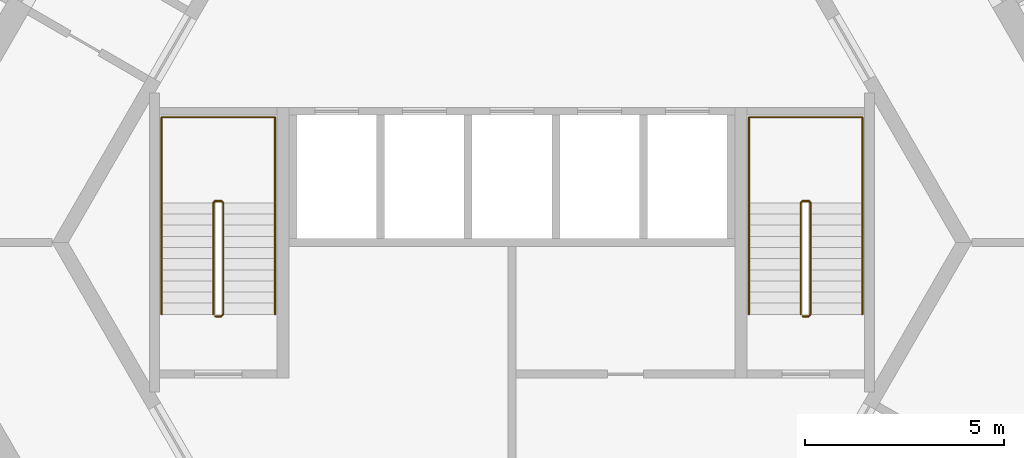
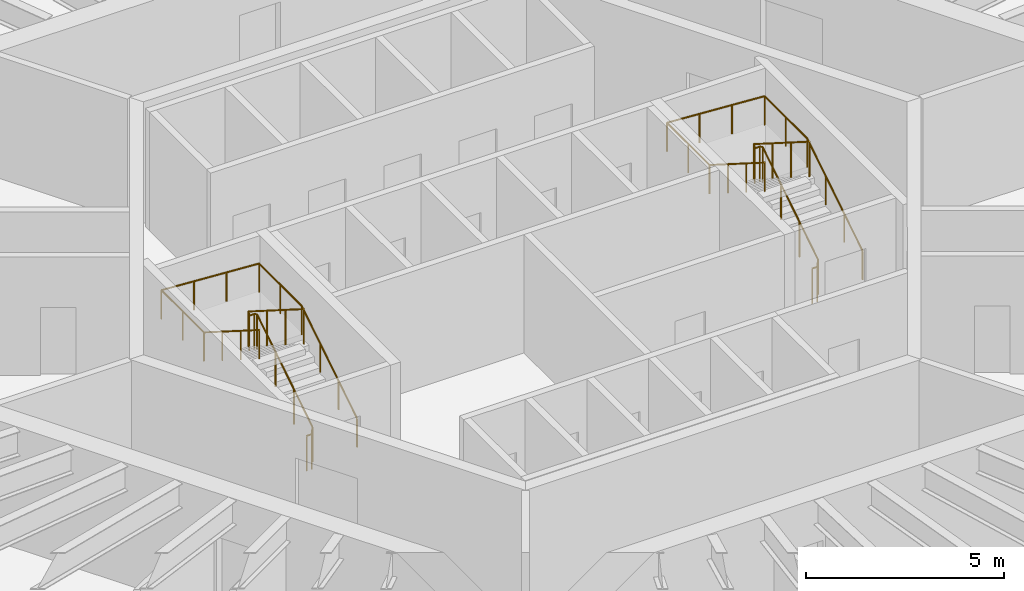
# One storey, part 12 of 12: 4 railings.
"""IFC4 building model written with IfcOpenShell, lengths in metres."""

from ifc_helpers import new_model, si_unit, direction, frame, origin, origin_2d, place, context, subcontext, project, spatial, circle, extrude, material, type_object, element, save


model = new_model("IFC4")

# Units and contexts
model_context = context("Model", 3, precision=1e-05, world=origin(), true_north=direction((0.0, 1.0)))
body_context = subcontext(model_context, "Body", "Model", "MODEL_VIEW")
ifc_project = project(units=[si_unit("LENGTHUNIT", "METRE"), si_unit("AREAUNIT", "SQUARE_METRE"), si_unit("VOLUMEUNIT", "CUBIC_METRE"), si_unit("PLANEANGLEUNIT", "RADIAN"), si_unit("MASSUNIT", "GRAM", prefix="KILO")], contexts=[model_context])

# Site, building, storey
site_placement = place(None, origin())
site = spatial("IfcSite", under=ifc_project, at=site_placement, CompositionType="ELEMENT")
building_placement = place(site_placement, origin())
building = spatial("IfcBuilding", under=site, at=building_placement, Name="Tarnside Tower", CompositionType="ELEMENT")
storey_placement = place(building_placement, frame((0.0, 0.0, 119.39990234375)))
storey = spatial("IfcBuildingStorey", under=building, at=storey_placement, Name="L27", CompositionType="ELEMENT", Elevation=119.39990234375)

# Railings
ifc_material = material(Name="Stainless steel", Category="steel")
railing_type_1 = type_object("IfcRailingType", Name="Stair guard 1100", PredefinedType="GUARDRAIL", material=ifc_material)
railing_1_placement = place(storey_placement, frame((7.300048828125, -1.85009765625, 0.0)))
element("IfcRailing", 1, at=railing_1_placement, inside=storey, type_object=railing_type_1, Name="L27 ST1 stair guard 1", PredefinedType="GUARDRAIL", context=body_context, shape_type="SweptSolid", body=[
    extrude(circle(Radius=0.02392578125, at=origin_2d()), frame((0.0, 0.0, 1.076171875), z_axis=(1.0, 0.0, 0.0), x_axis=(0.0, 1.0, 0.0)), (0.0, 0.0, 1.0), 0.14990234375),
    extrude(circle(Radius=0.02392578125, at=origin_2d()), frame((0.14990234375, 0.0, 1.076171875), z_axis=(0.261922500866, 0.261922500866, 0.928866625022), x_axis=(-0.707106781187, 0.707106781187, 0.0)), (0.0, 0.0, 1.0), 0.191162109375),
    extrude(circle(Radius=0.02392578125, at=origin_2d()), frame((0.199951171875, 0.050048828125, 1.25341796875), z_axis=(0.0, 0.844908973607, 0.534910110503), x_axis=(-1.0, 0.0, 0.0)), (0.0, 0.0, 1.0), 3.31396484375),
    extrude(circle(Radius=0.02392578125, at=origin_2d()), frame((0.199951171875, 2.85009765625, 3.0263671875), z_axis=(-0.707106781187, 0.707106781187, 0.0), x_axis=(-0.707106781187, -0.707106781187, 0.0)), (0.0, 0.0, 1.0), 0.07080078125),
    extrude(circle(Radius=0.02392578125, at=origin_2d()), frame((0.14990234375, 2.900146484375, 3.0263671875), z_axis=(-1.0, 0.0, 0.0), x_axis=(0.0, -1.0, 0.0)), (0.0, 0.0, 1.0), 0.14990234375),
    extrude(circle(Radius=0.02392578125, at=origin_2d()), frame((0.0, 2.900146484375, 3.0263671875), z_axis=(-0.262233686654, -0.262233686654, 0.928691007369), x_axis=(0.707106781187, -0.707106781187, 0.0)), (0.0, 0.0, 1.0), 0.19091796875),
    extrude(circle(Radius=0.02392578125, at=origin_2d()), frame((-0.050048828125, 2.85009765625, 3.20361328125), z_axis=(0.0, -0.844908973607, 0.534910110503), x_axis=(1.0, 0.0, 0.0)), (0.0, 0.0, 1.0), 3.31396484375),
    extrude(circle(Radius=0.02099609375, at=origin_2d()), origin(), (0.0, 0.0, 1.0), 1.052001953125),
    extrude(circle(Radius=0.02099609375, at=origin_2d()), frame((0.14990234375, 0.0, 0.0)), (0.0, 0.0, 1.0), 1.052001953125),
    extrude(circle(Radius=0.02099609375, at=origin_2d()), frame((0.199951171875, 0.050048828125, 0.177490234375)), (0.0, 0.0, 1.0), 1.052001953125),
    extrude(circle(Radius=0.02099609375, at=origin_2d()), frame((0.199951171875, 0.9833984375, 0.768310546875)), (0.0, 0.0, 1.0), 1.052001953125),
    extrude(circle(Radius=0.02099609375, at=origin_2d()), frame((0.199951171875, 1.916748046875, 1.359375)), (0.0, 0.0, 1.0), 1.052001953125),
    extrude(circle(Radius=0.02099609375, at=origin_2d()), frame((0.199951171875, 2.85009765625, 1.9501953125)), (0.0, 0.0, 1.0), 1.052001953125),
    extrude(circle(Radius=0.02099609375, at=origin_2d()), frame((0.14990234375, 2.900146484375, 1.9501953125)), (0.0, 0.0, 1.0), 1.052001953125),
    extrude(circle(Radius=0.02099609375, at=origin_2d()), frame((0.0, 2.900146484375, 1.9501953125)), (0.0, 0.0, 1.0), 1.052001953125),
    extrude(circle(Radius=0.02099609375, at=origin_2d()), frame((-0.050048828125, 2.85009765625, 2.12744140625)), (0.0, 0.0, 1.0), 1.052001953125),
    extrude(circle(Radius=0.02099609375, at=origin_2d()), frame((-0.050048828125, 1.916748046875, 2.71826171875)), (0.0, 0.0, 1.0), 1.052001953125),
    extrude(circle(Radius=0.02099609375, at=origin_2d()), frame((-0.050048828125, 0.9833984375, 3.309326171875)), (0.0, 0.0, 1.0), 1.052001953125),
    extrude(circle(Radius=0.02099609375, at=origin_2d()), frame((-0.050048828125, 0.050048828125, 3.900146484375)), (0.0, 0.0, 1.0), 1.052001953125),
])
railing_2_placement = place(storey_placement, frame((-7.449951171875, -1.85009765625, 0.0)))
element("IfcRailing", 2, at=railing_2_placement, inside=storey, type_object=railing_type_1, Name="L27 ST2 stair guard 1", PredefinedType="GUARDRAIL", context=body_context, shape_type="SweptSolid", body=[
    extrude(circle(Radius=0.02392578125, at=origin_2d()), frame((0.0, 0.0, 1.076171875), z_axis=(1.0, 0.0, 0.0), x_axis=(0.0, 1.0, 0.0)), (0.0, 0.0, 1.0), 0.14990234375),
    extrude(circle(Radius=0.02392578125, at=origin_2d()), frame((0.14990234375, 0.0, 1.076171875), z_axis=(0.261922500866, 0.261922500866, 0.928866625022), x_axis=(-0.707106781187, 0.707106781187, 0.0)), (0.0, 0.0, 1.0), 0.191162109375),
    extrude(circle(Radius=0.02392578125, at=origin_2d()), frame((0.199951171875, 0.050048828125, 1.25341796875), z_axis=(0.0, 0.844908973607, 0.534910110503), x_axis=(-1.0, 0.0, 0.0)), (0.0, 0.0, 1.0), 3.31396484375),
    extrude(circle(Radius=0.02392578125, at=origin_2d()), frame((0.199951171875, 2.85009765625, 3.0263671875), z_axis=(-0.707106781187, 0.707106781187, 0.0), x_axis=(-0.707106781187, -0.707106781187, 0.0)), (0.0, 0.0, 1.0), 0.07080078125),
    extrude(circle(Radius=0.02392578125, at=origin_2d()), frame((0.14990234375, 2.900146484375, 3.0263671875), z_axis=(-1.0, 0.0, 0.0), x_axis=(0.0, -1.0, 0.0)), (0.0, 0.0, 1.0), 0.14990234375),
    extrude(circle(Radius=0.02392578125, at=origin_2d()), frame((0.0, 2.900146484375, 3.0263671875), z_axis=(-0.262233686654, -0.262233686654, 0.928691007369), x_axis=(0.707106781187, -0.707106781187, 0.0)), (0.0, 0.0, 1.0), 0.19091796875),
    extrude(circle(Radius=0.02392578125, at=origin_2d()), frame((-0.050048828125, 2.85009765625, 3.20361328125), z_axis=(0.0, -0.844908973607, 0.534910110503), x_axis=(1.0, 0.0, 0.0)), (0.0, 0.0, 1.0), 3.31396484375),
    extrude(circle(Radius=0.02099609375, at=origin_2d()), origin(), (0.0, 0.0, 1.0), 1.052001953125),
    extrude(circle(Radius=0.02099609375, at=origin_2d()), frame((0.14990234375, 0.0, 0.0)), (0.0, 0.0, 1.0), 1.052001953125),
    extrude(circle(Radius=0.02099609375, at=origin_2d()), frame((0.199951171875, 0.050048828125, 0.177490234375)), (0.0, 0.0, 1.0), 1.052001953125),
    extrude(circle(Radius=0.02099609375, at=origin_2d()), frame((0.199951171875, 0.9833984375, 0.768310546875)), (0.0, 0.0, 1.0), 1.052001953125),
    extrude(circle(Radius=0.02099609375, at=origin_2d()), frame((0.199951171875, 1.916748046875, 1.359375)), (0.0, 0.0, 1.0), 1.052001953125),
    extrude(circle(Radius=0.02099609375, at=origin_2d()), frame((0.199951171875, 2.85009765625, 1.9501953125)), (0.0, 0.0, 1.0), 1.052001953125),
    extrude(circle(Radius=0.02099609375, at=origin_2d()), frame((0.14990234375, 2.900146484375, 1.9501953125)), (0.0, 0.0, 1.0), 1.052001953125),
    extrude(circle(Radius=0.02099609375, at=origin_2d()), frame((0.0, 2.900146484375, 1.9501953125)), (0.0, 0.0, 1.0), 1.052001953125),
    extrude(circle(Radius=0.02099609375, at=origin_2d()), frame((-0.050048828125, 2.85009765625, 2.12744140625)), (0.0, 0.0, 1.0), 1.052001953125),
    extrude(circle(Radius=0.02099609375, at=origin_2d()), frame((-0.050048828125, 1.916748046875, 2.71826171875)), (0.0, 0.0, 1.0), 1.052001953125),
    extrude(circle(Radius=0.02099609375, at=origin_2d()), frame((-0.050048828125, 0.9833984375, 3.309326171875)), (0.0, 0.0, 1.0), 1.052001953125),
    extrude(circle(Radius=0.02099609375, at=origin_2d()), frame((-0.050048828125, 0.050048828125, 3.900146484375)), (0.0, 0.0, 1.0), 1.052001953125),
])
railing_type_2 = type_object("IfcRailingType", Name="Stair handrail 900", PredefinedType="HANDRAIL", material=ifc_material)
railing_3_placement = place(storey_placement, frame((8.800048828125, -1.800048828125, 0.177490234375)))
element("IfcRailing", 3, at=railing_3_placement, inside=storey, type_object=railing_type_2, Name="L27 ST1 stair handrail 1", PredefinedType="HANDRAIL", context=body_context, shape_type="SweptSolid", body=[
    extrude(circle(Radius=0.02392578125, at=origin_2d()), frame((0.0, 0.0, 0.8857421875), z_axis=(0.0, 0.844908973607, 0.534910110503), x_axis=(-1.0, 0.0, 0.0)), (0.0, 0.0, 1.0), 3.31396484375),
    extrude(circle(Radius=0.02392578125, at=origin_2d()), frame((0.0, 2.800048828125, 2.65869140625), z_axis=(0.0, 1.0, 0.0), x_axis=(-1.0, 0.0, 0.0)), (0.0, 0.0, 1.0), 2.14990234375),
    extrude(circle(Radius=0.02392578125, at=origin_2d()), frame((0.0, 4.949951171875, 2.65869140625), z_axis=(-0.998071825391, 0.0, 0.06206956872), x_axis=(0.0, -1.0, 0.0)), (0.0, 0.0, 1.0), 2.855712890625),
    extrude(circle(Radius=0.02392578125, at=origin_2d()), frame((-2.85009765625, 4.949951171875, 2.8359375), z_axis=(0.0, -1.0, 0.0), x_axis=(1.0, 0.0, 0.0)), (0.0, 0.0, 1.0), 2.14990234375),
    extrude(circle(Radius=0.02392578125, at=origin_2d()), frame((-2.85009765625, 2.800048828125, 2.8359375), z_axis=(0.0, -0.844908973607, 0.534910110503), x_axis=(1.0, 0.0, 0.0)), (0.0, 0.0, 1.0), 3.31396484375),
    extrude(circle(Radius=0.02099609375, at=origin_2d()), origin(), (0.0, 0.0, 1.0), 0.86181640625),
    extrude(circle(Radius=0.02099609375, at=origin_2d()), frame((0.0, 0.933349609375, 0.5908203125)), (0.0, 0.0, 1.0), 0.86181640625),
    extrude(circle(Radius=0.02099609375, at=origin_2d()), frame((0.0, 1.86669921875, 1.181884765625)), (0.0, 0.0, 1.0), 0.86181640625),
    extrude(circle(Radius=0.02099609375, at=origin_2d()), frame((0.0, 2.800048828125, 1.772705078125)), (0.0, 0.0, 1.0), 0.86181640625),
    extrude(circle(Radius=0.02099609375, at=origin_2d()), frame((0.0, 3.875, 1.772705078125)), (0.0, 0.0, 1.0), 0.86181640625),
    extrude(circle(Radius=0.02099609375, at=origin_2d()), frame((0.0, 4.949951171875, 1.772705078125)), (0.0, 0.0, 1.0), 0.86181640625),
    extrude(circle(Radius=0.02099609375, at=origin_2d()), frame((-0.949951171875, 4.949951171875, 1.831787109375)), (0.0, 0.0, 1.0), 0.86181640625),
    extrude(circle(Radius=0.02099609375, at=origin_2d()), frame((-1.900146484375, 4.949951171875, 1.890869140625)), (0.0, 0.0, 1.0), 0.86181640625),
    extrude(circle(Radius=0.02099609375, at=origin_2d()), frame((-2.85009765625, 4.949951171875, 1.949951171875)), (0.0, 0.0, 1.0), 0.86181640625),
    extrude(circle(Radius=0.02099609375, at=origin_2d()), frame((-2.85009765625, 3.875, 1.949951171875)), (0.0, 0.0, 1.0), 0.86181640625),
    extrude(circle(Radius=0.02099609375, at=origin_2d()), frame((-2.85009765625, 2.800048828125, 1.949951171875)), (0.0, 0.0, 1.0), 0.86181640625),
    extrude(circle(Radius=0.02099609375, at=origin_2d()), frame((-2.85009765625, 1.86669921875, 2.540771484375)), (0.0, 0.0, 1.0), 0.86181640625),
    extrude(circle(Radius=0.02099609375, at=origin_2d()), frame((-2.85009765625, 0.933349609375, 3.1318359375)), (0.0, 0.0, 1.0), 0.86181640625),
    extrude(circle(Radius=0.02099609375, at=origin_2d()), frame((-2.85009765625, 0.0, 3.72265625)), (0.0, 0.0, 1.0), 0.86181640625),
])
railing_4_placement = place(storey_placement, frame((-5.949951171875, -1.800048828125, 0.177490234375)))
element("IfcRailing", 4, at=railing_4_placement, inside=storey, type_object=railing_type_2, Name="L27 ST2 stair handrail 1", PredefinedType="HANDRAIL", context=body_context, shape_type="SweptSolid", body=[
    extrude(circle(Radius=0.02392578125, at=origin_2d()), frame((0.0, 0.0, 0.8857421875), z_axis=(0.0, 0.844908973607, 0.534910110503), x_axis=(-1.0, 0.0, 0.0)), (0.0, 0.0, 1.0), 3.31396484375),
    extrude(circle(Radius=0.02392578125, at=origin_2d()), frame((0.0, 2.800048828125, 2.65869140625), z_axis=(0.0, 1.0, 0.0), x_axis=(-1.0, 0.0, 0.0)), (0.0, 0.0, 1.0), 2.14990234375),
    extrude(circle(Radius=0.02392578125, at=origin_2d()), frame((0.0, 4.949951171875, 2.65869140625), z_axis=(-0.998071825391, 0.0, 0.06206956872), x_axis=(0.0, -1.0, 0.0)), (0.0, 0.0, 1.0), 2.855712890625),
    extrude(circle(Radius=0.02392578125, at=origin_2d()), frame((-2.85009765625, 4.949951171875, 2.8359375), z_axis=(0.0, -1.0, 0.0), x_axis=(1.0, 0.0, 0.0)), (0.0, 0.0, 1.0), 2.14990234375),
    extrude(circle(Radius=0.02392578125, at=origin_2d()), frame((-2.85009765625, 2.800048828125, 2.8359375), z_axis=(0.0, -0.844908973607, 0.534910110503), x_axis=(1.0, 0.0, 0.0)), (0.0, 0.0, 1.0), 3.31396484375),
    extrude(circle(Radius=0.02099609375, at=origin_2d()), origin(), (0.0, 0.0, 1.0), 0.86181640625),
    extrude(circle(Radius=0.02099609375, at=origin_2d()), frame((0.0, 0.933349609375, 0.5908203125)), (0.0, 0.0, 1.0), 0.86181640625),
    extrude(circle(Radius=0.02099609375, at=origin_2d()), frame((0.0, 1.86669921875, 1.181884765625)), (0.0, 0.0, 1.0), 0.86181640625),
    extrude(circle(Radius=0.02099609375, at=origin_2d()), frame((0.0, 2.800048828125, 1.772705078125)), (0.0, 0.0, 1.0), 0.86181640625),
    extrude(circle(Radius=0.02099609375, at=origin_2d()), frame((0.0, 3.875, 1.772705078125)), (0.0, 0.0, 1.0), 0.86181640625),
    extrude(circle(Radius=0.02099609375, at=origin_2d()), frame((0.0, 4.949951171875, 1.772705078125)), (0.0, 0.0, 1.0), 0.86181640625),
    extrude(circle(Radius=0.02099609375, at=origin_2d()), frame((-0.949951171875, 4.949951171875, 1.831787109375)), (0.0, 0.0, 1.0), 0.86181640625),
    extrude(circle(Radius=0.02099609375, at=origin_2d()), frame((-1.900146484375, 4.949951171875, 1.890869140625)), (0.0, 0.0, 1.0), 0.86181640625),
    extrude(circle(Radius=0.02099609375, at=origin_2d()), frame((-2.85009765625, 4.949951171875, 1.949951171875)), (0.0, 0.0, 1.0), 0.86181640625),
    extrude(circle(Radius=0.02099609375, at=origin_2d()), frame((-2.85009765625, 3.875, 1.949951171875)), (0.0, 0.0, 1.0), 0.86181640625),
    extrude(circle(Radius=0.02099609375, at=origin_2d()), frame((-2.85009765625, 2.800048828125, 1.949951171875)), (0.0, 0.0, 1.0), 0.86181640625),
    extrude(circle(Radius=0.02099609375, at=origin_2d()), frame((-2.85009765625, 1.86669921875, 2.540771484375)), (0.0, 0.0, 1.0), 0.86181640625),
    extrude(circle(Radius=0.02099609375, at=origin_2d()), frame((-2.85009765625, 0.933349609375, 3.1318359375)), (0.0, 0.0, 1.0), 0.86181640625),
    extrude(circle(Radius=0.02099609375, at=origin_2d()), frame((-2.85009765625, 0.0, 3.72265625)), (0.0, 0.0, 1.0), 0.86181640625),
])

save(model, "model.ifc")
